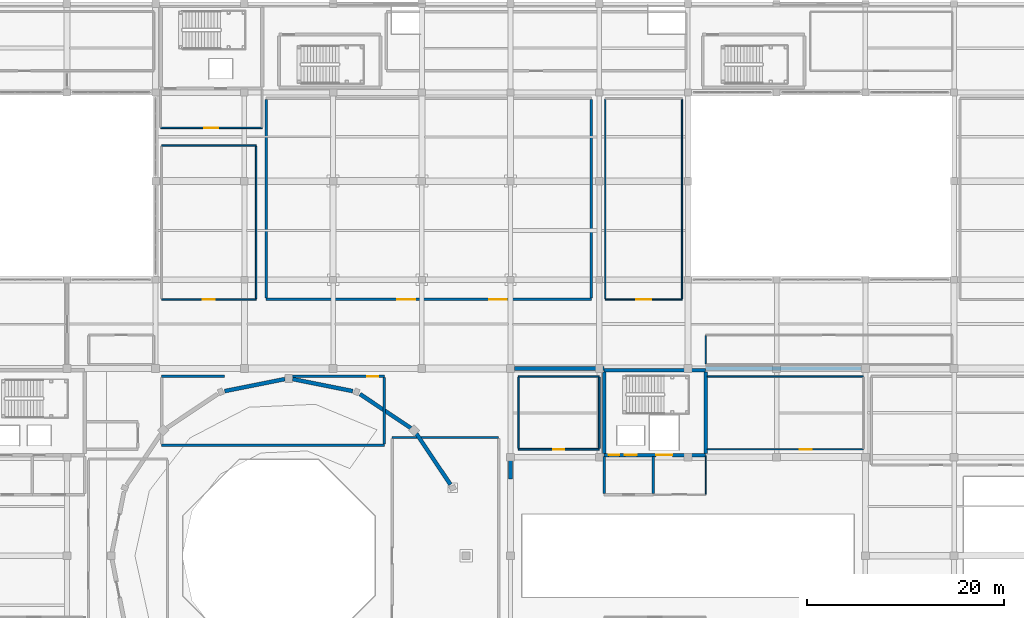
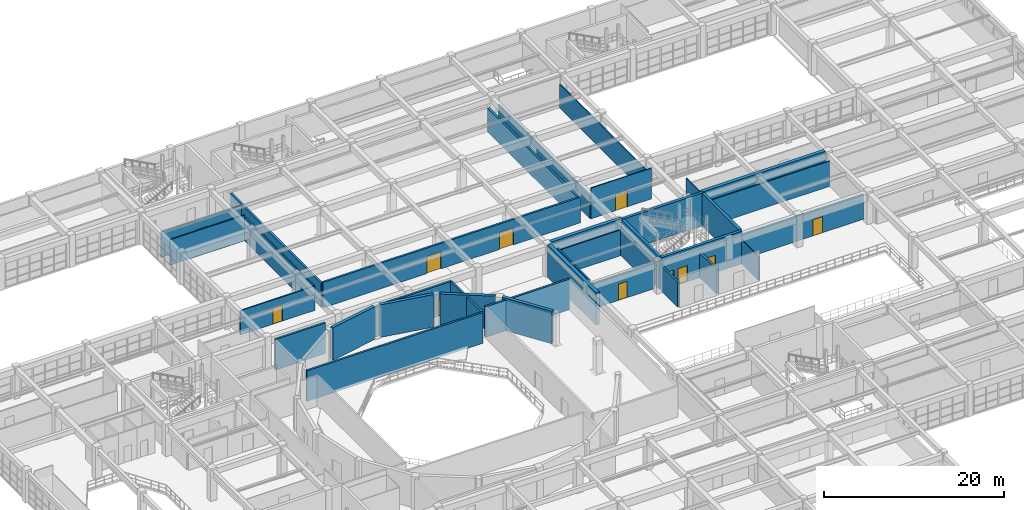
# One storey, part 113 of 133: 36 walls, 11 doors, 11 openings.
"""IFC4 building model written with IfcOpenShell, lengths in metres."""

from ifc_helpers import new_model, si_unit, direction, frame, frame_2d, origin, place, context, subcontext, project, spatial, rectangle, extrude, material, layer, layer_set, type_object, element, fill, save


model = new_model("IFC4")

# Units and contexts
model_context = context("Model", 3, precision=1e-05, world=origin(), true_north=direction((0.0, 1.0)))
body_context = subcontext(model_context, "Body", "Model", "MODEL_VIEW")
ifc_project = project(units=[si_unit("LENGTHUNIT", "METRE"), si_unit("AREAUNIT", "SQUARE_METRE"), si_unit("VOLUMEUNIT", "CUBIC_METRE"), si_unit("PLANEANGLEUNIT", "RADIAN"), si_unit("MASSUNIT", "GRAM", prefix="KILO")], contexts=[model_context])

# Site, building, storey
site_placement = place(None, origin())
site = spatial("IfcSite", under=ifc_project, at=site_placement, CompositionType="ELEMENT")
building_placement = place(site_placement, origin())
building = spatial("IfcBuilding", under=site, at=building_placement, Name="Miravela Opera House", CompositionType="ELEMENT")
storey_placement = place(building_placement, frame((0.0, 0.0, 5.10009765625)))
storey = spatial("IfcBuildingStorey", under=building, at=storey_placement, Name="L01", CompositionType="ELEMENT", Elevation=5.10009765625)

# Wall
ifc_material_1 = material(Name="Double-layer acoustic gypsum partition")
ifc_layer_1 = layer(ifc_material_1, 0.110107421875)
ifc_layer_set_1 = layer_set([ifc_layer_1])
wall_type_1 = type_object("IfcWallType", Name="ARC-PT-110", PredefinedType="PARTITIONING", material=ifc_layer_set_1)
wall_1_placement = place(storey_placement, frame((118.800048828125, 62.2548828125, 0.0), z_axis=(0.0, 0.0, 1.0), x_axis=(0.0, 1.0, 0.0)))
element("IfcWall", 1, at=wall_1_placement, inside=storey, type_object=wall_type_1, Name="Passenger Lift Lobby K3 L01 Partition East", PredefinedType="PARTITIONING", context=body_context, shape_type="SweptSolid", body=[
    extrude(rectangle(XDim=3.89013671875, YDim=0.110107421875, at=frame_2d((1.945068359375, 0.0))), origin(), (0.0, 0.0, 1.0), 3.239990234375),
])

# Wall, opening, door
ifc_material_2 = material(Name="Fire-rated acoustic gypsum partition")
ifc_layer_2 = layer(ifc_material_2, 0.1298828125)
ifc_layer_set_2 = layer_set([ifc_layer_2])
wall_type_2 = type_object("IfcWallType", Name="ARC-PT-130", PredefinedType="PARTITIONING", material=ifc_layer_set_2)
wall_2_placement = place(storey_placement, frame((108.60009765625, 82.0, 0.0), z_axis=(0.0, 0.0, 1.0), x_axis=(1.0, 0.0, 0.0)))
wall_2 = element("IfcWall", 2, at=wall_2_placement, inside=storey, type_object=wall_type_2, Name="Studio Theatre Wing and Sound Control Room Partition South", PredefinedType="PARTITIONING", context=body_context, shape_type="SweptSolid", body=[
    extrude(rectangle(XDim=7.7998046875, YDim=0.1298828125, at=frame_2d((3.89990234375, 0.0))), origin(), (0.0, 0.0, 1.0), 4.159912109375),
])
opening_1_placement = place(wall_2_placement, frame((3.1298828125, 0.0, 0.0)))
opening_1 = element("IfcOpeningElement", 3, at=opening_1_placement, cuts=wall_2, Name="Opening ID-42", PredefinedType="OPENING", context=body_context, shape_type="SweptSolid", body=[
    extrude(rectangle(XDim=1.5400390625, YDim=2.219970703125, at=frame_2d((0.77001953125, 1.10986328125))), frame((0.0, 0.074951171875, 0.0), z_axis=(0.0, -1.0, 0.0), x_axis=(1.0, 0.0, 0.0)), (0.0, 0.0, 1.0), 0.14990234375),
])
ifc_material_3 = material(Name="Hardwood acoustic timber door leaf", Category="wood")
door_type_1 = type_object("IfcDoorType", Name="ARC-IDR-154X222", OperationType="NOTDEFINED", PredefinedType="DOOR", material=ifc_material_3)
door_1_placement = place(opening_1_placement, frame((1.5400390625, 0.0, 0.0), z_axis=(0.0, 0.0, 1.0), x_axis=(-1.0, 0.0, 0.0)))
door_1 = element("IfcDoor", 4, at=door_1_placement, inside=storey, type_object=door_type_1, Name="Studio Theatre Wing and Sound Control Room Entry Door IDR-L01-0169", OperationType="DOUBLE_DOOR_SINGLE_SWING", OverallHeight=2.219970703125, OverallWidth=1.5400390625, PredefinedType="DOOR", context=body_context, shape_type="SweptSolid", body=[
    extrude(rectangle(XDim=1.5400390625, YDim=2.219970703125, at=frame_2d((0.77001953125, 1.10986328125))), frame((0.0, 0.02490234375, 0.0), z_axis=(0.0, -1.0, 0.0), x_axis=(1.0, 0.0, 0.0)), (0.0, 0.0, 1.0), 0.050048828125),
])
fill(opening_1, door_1)

# Walls
for number, where, z_axis, x_axis, name in (
    (5, (108.60009765625, 82.06494140625, 0.0), (0.0, 0.0, 1.0), (0.0, 1.0, 0.0), "Studio Theatre Wing and Sound Control Room Partition West"),
    (6, (116.39990234375, 82.06494140625, 0.0), (0.0, 0.0, 1.0), (0.0, 1.0, 0.0), "Studio Theatre Wing and Sound Control Room Partition East"),
):
    element("IfcWall", number, at=place(storey_placement, frame(where, z_axis=z_axis, x_axis=x_axis)), inside=storey, type_object=wall_type_2, Name=name, PredefinedType="PARTITIONING", context=body_context, shape_type="SweptSolid", body=[
        extrude(rectangle(XDim=20.27001953125, YDim=0.1298828125, at=frame_2d((10.135009765625, 0.0))), origin(), (0.0, 0.0, 1.0), 3.239990234375),
    ])
wall_3_placement = place(storey_placement, frame((118.800048828125, 75.465087890625, 0.0), z_axis=(0.0, 0.0, 1.0), x_axis=(0.0, 1.0, 0.0)))
element("IfcWall", 7, at=wall_3_placement, inside=storey, type_object=wall_type_2, Name="Stage Sound and Video Production Studio Partition West", PredefinedType="PARTITIONING", context=body_context, shape_type="SweptSolid", body=[
    extrude(rectangle(XDim=2.869873046875, YDim=0.1298828125, at=frame_2d((1.43505859375, 0.0))), origin(), (0.0, 0.0, 1.0), 4.159912109375),
])

# Wall, opening, door
wall_4_placement = place(storey_placement, frame((118.97509765625, 66.800048828125, 0.0), z_axis=(0.0, 0.0, 1.0), x_axis=(1.0, 0.0, 0.0)))
wall_4 = element("IfcWall", 8, at=wall_4_placement, inside=storey, type_object=wall_type_2, Name="Stage Prompt and Audio Mixing Studio Partition South", PredefinedType="PARTITIONING", context=body_context, shape_type="SweptSolid", body=[
    extrude(rectangle(XDim=15.824951171875, YDim=0.1298828125, at=frame_2d((7.91259765625, 0.0))), origin(), (0.0, 0.0, 1.0), 3.43994140625),
])
opening_2_placement = place(wall_4_placement, frame((9.38037109375, 0.0, 0.0)))
opening_2 = element("IfcOpeningElement", 9, at=opening_2_placement, cuts=wall_4, Name="Opening FD-02", PredefinedType="OPENING", context=body_context, shape_type="SweptSolid", body=[
    extrude(rectangle(XDim=1.199951171875, YDim=2.199951171875, at=frame_2d((0.60009765625, 1.10009765625))), frame((0.0, 0.074951171875, 0.0), z_axis=(0.0, -1.0, 0.0), x_axis=(1.0, 0.0, 0.0)), (0.0, 0.0, 1.0), 0.14990234375),
])
ifc_material_4 = material(Name="Fire-rated gallery/plant exit door")
door_type_2 = type_object("IfcDoorType", Name="ARC-FD-1200X2200", OperationType="NOTDEFINED", PredefinedType="DOOR", material=ifc_material_4)
door_2_placement = place(opening_2_placement, origin())
door_2 = element("IfcDoor", 10, at=door_2_placement, inside=storey, type_object=door_type_2, Name="Stage Prompt and Audio Mixing Studio Entry Door IDR-L01-0204", OperationType="SINGLE_SWING_RIGHT", OverallHeight=2.199951171875, OverallWidth=1.199951171875, PredefinedType="DOOR", context=body_context, shape_type="SweptSolid", body=[
    extrude(rectangle(XDim=1.199951171875, YDim=2.199951171875, at=frame_2d((0.60009765625, 1.10009765625))), frame((0.0, 0.02490234375, 0.0), z_axis=(0.0, -1.0, 0.0), x_axis=(1.0, 0.0, 0.0)), (0.0, 0.0, 1.0), 0.050048828125),
])
fill(opening_2, door_2)

# Wall
wall_5_placement = place(storey_placement, frame((118.97509765625, 74.199951171875, 0.0), z_axis=(0.0, 0.0, 1.0), x_axis=(1.0, 0.0, 0.0)))
element("IfcWall", 11, at=wall_5_placement, inside=storey, type_object=wall_type_2, Name="Stage Prompt and Audio Mixing Studio Partition North", PredefinedType="PARTITIONING", context=body_context, shape_type="SweptSolid", body=[
    extrude(rectangle(XDim=15.824951171875, YDim=0.1298828125, at=frame_2d((7.91259765625, 0.0))), origin(), (0.0, 0.0, 1.0), 3.43994140625),
])

# Wall, opening, door
ifc_material_5 = material(Name="Studio double-stud acoustic partition")
ifc_layer_3 = layer(ifc_material_5, 0.14990234375)
ifc_layer_set_3 = layer_set([ifc_layer_3])
wall_type_3 = type_object("IfcWallType", Name="ARC-PT-145", PredefinedType="PARTITIONING", material=ifc_layer_set_3)
wall_6_placement = place(storey_placement, frame((63.5, 99.39990234375, 0.0), z_axis=(0.0, 0.0, 1.0), x_axis=(1.0, 0.0, 0.0)))
wall_6 = element("IfcWall", 12, at=wall_6_placement, inside=storey, type_object=wall_type_3, Name="Passenger Lift Lobby K5 L01 Partition South", PredefinedType="PARTITIONING", context=body_context, shape_type="SweptSolid", body=[
    extrude(rectangle(XDim=10.300048828125, YDim=0.14990234375, at=frame_2d((5.14990234375, 0.0))), origin(), (0.0, 0.0, 1.0), 3.4599609375),
])
opening_3_placement = place(wall_6_placement, frame((4.449951171875, 0.0, 0.0)))
opening_3 = element("IfcOpeningElement", 13, at=opening_3_placement, cuts=wall_6, Name="Opening FD-03", PredefinedType="OPENING", context=body_context, shape_type="SweptSolid", body=[
    extrude(rectangle(XDim=1.39990234375, YDim=2.199951171875, at=frame_2d((0.699951171875, 1.10009765625))), frame((0.0, 0.0849609375, 0.0), z_axis=(0.0, -1.0, 0.0), x_axis=(1.0, 0.0, 0.0)), (0.0, 0.0, 1.0), 0.169921875),
])
ifc_material_6 = material(Name="Fire-rated lobby/archive double door")
door_type_3 = type_object("IfcDoorType", Name="ARC-FD-1400X2200", OperationType="NOTDEFINED", PredefinedType="DOOR", material=ifc_material_6)
door_3_placement = place(opening_3_placement, frame((1.39990234375, 0.0, 0.0), z_axis=(0.0, 0.0, 1.0), x_axis=(-1.0, 0.0, 0.0)))
door_3 = element("IfcDoor", 14, at=door_3_placement, inside=storey, type_object=door_type_3, Name="Passenger Lift Lobby K5 L01 Entry Door IDR-L01-0157", OperationType="DOUBLE_DOOR_SINGLE_SWING", OverallHeight=2.199951171875, OverallWidth=1.39990234375, PredefinedType="DOOR", context=body_context, shape_type="SweptSolid", body=[
    extrude(rectangle(XDim=1.39990234375, YDim=2.199951171875, at=frame_2d((0.699951171875, 1.10009765625))), frame((0.0, 0.02490234375, 0.0), z_axis=(0.0, -1.0, 0.0), x_axis=(1.0, 0.0, 0.0)), (0.0, 0.0, 1.0), 0.050048828125),
])
fill(opening_3, door_3)

wall_7_placement = place(storey_placement, frame((63.60009765625, 82.0, 0.0), z_axis=(0.0, 0.0, 1.0), x_axis=(1.0, 0.0, 0.0)))
wall_7 = element("IfcWall", 15, at=wall_7_placement, inside=storey, type_object=wall_type_3, Name="Chamber Strings Practice Studio Partition South", PredefinedType="PARTITIONING", context=body_context, shape_type="SweptSolid", body=[
    extrude(rectangle(XDim=9.599853515625, YDim=0.14990234375, at=frame_2d((4.7998046875, 0.0))), origin(), (0.0, 0.0, 1.0), 3.289794921875),
])
opening_4_placement = place(wall_7_placement, frame((4.199951171875, 0.0, 0.0)))
opening_4 = element("IfcOpeningElement", 16, at=opening_4_placement, cuts=wall_7, Name="Opening ID-04", PredefinedType="OPENING", context=body_context, shape_type="SweptSolid", body=[
    extrude(rectangle(XDim=1.199951171875, YDim=2.199951171875, at=frame_2d((0.60009765625, 1.10009765625))), frame((0.0, 0.0849609375, 0.0), z_axis=(0.0, -1.0, 0.0), x_axis=(1.0, 0.0, 0.0)), (0.0, 0.0, 1.0), 0.169921875),
])
ifc_material_7 = material(Name="Wide acoustic ensemble door")
door_type_4 = type_object("IfcDoorType", Name="ARC-DR-1200X2200", OperationType="NOTDEFINED", PredefinedType="DOOR", material=ifc_material_7)
door_4_placement = place(opening_4_placement, frame((1.199951171875, 0.0, 0.0), z_axis=(0.0, 0.0, 1.0), x_axis=(-1.0, 0.0, 0.0)))
door_4 = element("IfcDoor", 17, at=door_4_placement, inside=storey, type_object=door_type_4, Name="Chamber Strings Practice Studio Entry Door IDR-L01-0205", OperationType="SINGLE_SWING_LEFT", OverallHeight=2.199951171875, OverallWidth=1.199951171875, PredefinedType="DOOR", context=body_context, shape_type="SweptSolid", body=[
    extrude(rectangle(XDim=1.199951171875, YDim=2.199951171875, at=frame_2d((0.60009765625, 1.10009765625))), frame((0.0, 0.02490234375, 0.0), z_axis=(0.0, -1.0, 0.0), x_axis=(1.0, 0.0, 0.0)), (0.0, 0.0, 1.0), 0.050048828125),
])
fill(opening_4, door_4)

# Walls
wall_8_placement = place(storey_placement, frame((63.60009765625, 97.60009765625, 0.0), z_axis=(0.0, 0.0, 1.0), x_axis=(1.0, 0.0, 0.0)))
element("IfcWall", 18, at=wall_8_placement, inside=storey, type_object=wall_type_3, Name="Chamber Strings Practice Studio Partition North", PredefinedType="PARTITIONING", context=body_context, shape_type="SweptSolid", body=[
    extrude(rectangle(XDim=9.599853515625, YDim=0.14990234375, at=frame_2d((4.7998046875, 0.0))), origin(), (0.0, 0.0, 1.0), 3.4599609375),
])
wall_9_placement = place(storey_placement, frame((73.199951171875, 82.074951171875, 0.0), z_axis=(0.0, 0.0, 1.0), x_axis=(0.0, 1.0, 0.0)))
element("IfcWall", 19, at=wall_9_placement, inside=storey, type_object=wall_type_3, Name="Chamber Strings Practice Studio Partition East", PredefinedType="PARTITIONING", context=body_context, shape_type="SweptSolid", body=[
    extrude(rectangle(XDim=15.449951171875, YDim=0.14990234375, at=frame_2d((7.72509765625, 0.0))), origin(), (0.0, 0.0, 1.0), 3.239990234375),
])

# Wall, opening, door
ifc_material_8 = material(Name="Rehearsal isolated acoustic partition")
ifc_layer_4 = layer(ifc_material_8, 0.169921875)
ifc_layer_set_4 = layer_set([ifc_layer_4])
wall_type_4 = type_object("IfcWallType", Name="ARC-PT-170", PredefinedType="PARTITIONING", material=ifc_layer_set_4)
wall_10_placement = place(storey_placement, frame((99.800048828125, 66.800048828125, 0.0), z_axis=(0.0, 0.0, 1.0), x_axis=(1.0, 0.0, 0.0)))
wall_10 = element("IfcWall", 20, at=wall_10_placement, inside=storey, type_object=wall_type_4, Name="Stage Scenic Projection Studio Partition South", PredefinedType="PARTITIONING", context=body_context, shape_type="SweptSolid", body=[
    extrude(rectangle(XDim=8.199951171875, YDim=0.169921875, at=frame_2d((4.10009765625, 0.0))), origin(), (0.0, 0.0, 1.0), 3.489990234375),
])
opening_5_placement = place(wall_10_placement, frame((3.550048828125, 0.0, 0.0)))
opening_5 = element("IfcOpeningElement", 21, at=opening_5_placement, cuts=wall_10, Name="Opening ID-03", PredefinedType="OPENING", context=body_context, shape_type="SweptSolid", body=[
    extrude(rectangle(XDim=1.10009765625, YDim=2.199951171875, at=frame_2d((0.550048828125, 1.10009765625))), frame((0.0, 0.094970703125, 0.0), z_axis=(0.0, -1.0, 0.0), x_axis=(1.0, 0.0, 0.0)), (0.0, 0.0, 1.0), 0.18994140625),
])
ifc_material_9 = material(Name="Acoustic hardwood studio door", Category="wood")
door_type_5 = type_object("IfcDoorType", Name="ARC-DR-1100X2200", OperationType="NOTDEFINED", PredefinedType="DOOR", material=ifc_material_9)
door_5_placement = place(opening_5_placement, origin())
door_5 = element("IfcDoor", 22, at=door_5_placement, inside=storey, type_object=door_type_5, Name="Stage Scenic Projection Studio Entry Door IDR-L01-0206", OperationType="SINGLE_SWING_RIGHT", OverallHeight=2.199951171875, OverallWidth=1.10009765625, PredefinedType="DOOR", context=body_context, shape_type="SweptSolid", body=[
    extrude(rectangle(XDim=1.10009765625, YDim=2.199951171875, at=frame_2d((0.550048828125, 1.10009765625))), frame((0.0, 0.02490234375, 0.0), z_axis=(0.0, -1.0, 0.0), x_axis=(1.0, 0.0, 0.0)), (0.0, 0.0, 1.0), 0.050048828125),
])
fill(opening_5, door_5)

# Walls
wall_11_placement = place(storey_placement, frame((99.800048828125, 74.199951171875, 0.0), z_axis=(0.0, 0.0, 1.0), x_axis=(1.0, 0.0, 0.0)))
element("IfcWall", 23, at=wall_11_placement, inside=storey, type_object=wall_type_4, Name="Stage Scenic Projection Studio Partition North", PredefinedType="PARTITIONING", context=body_context, shape_type="SweptSolid", body=[
    extrude(rectangle(XDim=8.199951171875, YDim=0.169921875, at=frame_2d((4.10009765625, 0.0))), origin(), (0.0, 0.0, 1.0), 3.489990234375),
])
wall_12_placement = place(storey_placement, frame((99.800048828125, 66.885009765625, 0.0), z_axis=(0.0, 0.0, 1.0), x_axis=(0.0, 1.0, 0.0)))
element("IfcWall", 24, at=wall_12_placement, inside=storey, type_object=wall_type_4, Name="Stage Scenic Projection Studio Partition West", PredefinedType="PARTITIONING", context=body_context, shape_type="SweptSolid", body=[
    extrude(rectangle(XDim=7.22998046875, YDim=0.169921875, at=frame_2d((3.614990234375, 0.0))), origin(), (0.0, 0.0, 1.0), 3.892822265625),
])
wall_13_placement = place(storey_placement, frame((108.0, 66.885009765625, 0.0), z_axis=(0.0, 0.0, 1.0), x_axis=(0.0, 1.0, 0.0)))
element("IfcWall", 25, at=wall_13_placement, inside=storey, type_object=wall_type_4, Name="Stage Scenic Projection Studio Partition East", PredefinedType="PARTITIONING", context=body_context, shape_type="SweptSolid", body=[
    extrude(rectangle(XDim=7.22998046875, YDim=0.169921875, at=frame_2d((3.614990234375, 0.0))), origin(), (0.0, 0.0, 1.0), 3.489990234375),
])
ifc_material_10 = material(Name="Firefighting lobby compartment wall")
ifc_layer_5 = layer(ifc_material_10, 0.25)
ifc_layer_set_5 = layer_set([ifc_layer_5])
wall_type_5 = type_object("IfcWallType", Name="ARC-PT-220", PredefinedType="PARTITIONING", material=ifc_layer_set_5)
for number, where, z_axis, x_axis, name in (
    (26, (108.5, 62.324951171875, 0.0), (0.0, 0.0, 1.0), (0.0, 1.0, 0.0), "Firefighting Lobby K3 L01 Partition West"),
    (27, (113.5, 62.324951171875, 0.0), (0.0, 0.0, 1.0), (0.0, 1.0, 0.0), "Firefighting Lobby K3 L01 Partition East"),
):
    element("IfcWall", number, at=place(storey_placement, frame(where, z_axis=z_axis, x_axis=x_axis)), inside=storey, type_object=wall_type_5, Name=name, PredefinedType="PARTITIONING", context=body_context, shape_type="SweptSolid", body=[
        extrude(rectangle(XDim=3.75, YDim=0.25, at=frame_2d((1.875, 0.0))), origin(), (0.0, 0.0, 1.0), 3.389892578125),
    ])
wall_14_placement = place(storey_placement, frame((87.0, 68.0, 0.0), z_axis=(0.0, 0.0, 1.0), x_axis=(1.0, 0.0, 0.0)))
element("IfcWall", 28, at=wall_14_placement, inside=storey, type_object=wall_type_5, Name="Opera Auditorium Box Tier Partition North", PredefinedType="PARTITIONING", context=body_context, shape_type="SweptSolid", body=[
    extrude(rectangle(XDim=10.800048828125, YDim=0.25, at=frame_2d((5.39990234375, 0.0))), origin(), (0.0, 0.0, 1.0), 4.159912109375),
])

# Wall, openings, doors
wall_15_placement = place(storey_placement, frame((74.199951171875, 82.0, 0.0), z_axis=(0.0, 0.0, 1.0), x_axis=(1.0, 0.0, 0.0)))
wall_15 = element("IfcWall", 29, at=wall_15_placement, inside=storey, type_object=wall_type_5, Name="Chamber Studio Theatre Stalls Partition South", PredefinedType="PARTITIONING", context=body_context, shape_type="SweptSolid", body=[
    extrude(rectangle(XDim=33.0, YDim=0.25, at=frame_2d((16.5, 0.0))), origin(), (0.0, 0.0, 1.0), 3.4599609375),
])
opening_6_placement = place(wall_15_placement, frame((13.322998046875, 0.0, 0.0)))
opening_6 = element("IfcOpeningElement", 30, at=opening_6_placement, cuts=wall_15, Name="Opening FD-05", PredefinedType="OPENING", context=body_context, shape_type="SweptSolid", body=[
    extrude(rectangle(XDim=1.800048828125, YDim=2.300048828125, at=frame_2d((0.89990234375, 1.14990234375))), frame((0.0, 0.135009765625, 0.0), z_axis=(0.0, -1.0, 0.0), x_axis=(1.0, 0.0, 0.0)), (0.0, 0.0, 1.0), 0.27001953125),
])
opening_7_placement = place(wall_15_placement, frame((22.6201171875, 0.0, 0.0)))
opening_7 = element("IfcOpeningElement", 31, at=opening_7_placement, cuts=wall_15, Name="Opening FD-05", PredefinedType="OPENING", context=body_context, shape_type="SweptSolid", body=[
    extrude(rectangle(XDim=1.800048828125, YDim=2.300048828125, at=frame_2d((0.89990234375, 1.14990234375))), frame((0.0, 0.135009765625, 0.0), z_axis=(0.0, -1.0, 0.0), x_axis=(1.0, 0.0, 0.0)), (0.0, 0.0, 1.0), 0.27001953125),
])
ifc_material_11 = material(Name="Heavy acoustic EI 120 stage/auditorium pair")
door_type_6 = type_object("IfcDoorType", Name="ARC-FD-1800X2300", OperationType="NOTDEFINED", PredefinedType="DOOR", material=ifc_material_11)
door_6_placement = place(opening_6_placement, frame((1.800048828125, 0.0, 0.0), z_axis=(0.0, 0.0, 1.0), x_axis=(-1.0, 0.0, 0.0)))
door_6 = element("IfcDoor", 32, at=door_6_placement, inside=storey, type_object=door_type_6, Name="Chamber Studio Theatre Stalls Entry Door IDR-L01-0167", OperationType="DOUBLE_DOOR_SINGLE_SWING", OverallHeight=2.300048828125, OverallWidth=1.800048828125, PredefinedType="DOOR", context=body_context, shape_type="SweptSolid", body=[
    extrude(rectangle(XDim=1.800048828125, YDim=2.300048828125, at=frame_2d((0.89990234375, 1.14990234375))), frame((0.0, 0.02490234375, 0.0), z_axis=(0.0, -1.0, 0.0), x_axis=(1.0, 0.0, 0.0)), (0.0, 0.0, 1.0), 0.050048828125),
])
fill(opening_6, door_6)
door_7_placement = place(opening_7_placement, frame((1.800048828125, 0.0, 0.0), z_axis=(0.0, 0.0, 1.0), x_axis=(-1.0, 0.0, 0.0)))
door_7 = element("IfcDoor", 33, at=door_7_placement, inside=storey, type_object=door_type_6, Name="Chamber Studio Theatre Stalls Secondary Exit Door IDR-L01-0168", OperationType="DOUBLE_DOOR_SINGLE_SWING", OverallHeight=2.300048828125, OverallWidth=1.800048828125, PredefinedType="DOOR", context=body_context, shape_type="SweptSolid", body=[
    extrude(rectangle(XDim=1.800048828125, YDim=2.300048828125, at=frame_2d((0.89990234375, 1.14990234375))), frame((0.0, 0.02490234375, 0.0), z_axis=(0.0, -1.0, 0.0), x_axis=(1.0, 0.0, 0.0)), (0.0, 0.0, 1.0), 0.050048828125),
])
fill(opening_7, door_7)

# Walls
for number, where, z_axis, x_axis, name in (
    (34, (74.199951171875, 82.125, 0.0), (0.0, 0.0, 1.0), (0.0, 1.0, 0.0), "Chamber Studio Theatre Stalls Partition West"),
    (35, (107.199951171875, 82.125, 0.0), (0.0, 0.0, 1.0), (0.0, 1.0, 0.0), "Chamber Studio Theatre Stalls Partition East"),
):
    element("IfcWall", number, at=place(storey_placement, frame(where, z_axis=z_axis, x_axis=x_axis)), inside=storey, type_object=wall_type_5, Name=name, PredefinedType="PARTITIONING", context=body_context, shape_type="SweptSolid", body=[
        extrude(rectangle(XDim=20.14990234375, YDim=0.25, at=frame_2d((10.074951171875, 0.0))), origin(), (0.0, 0.0, 1.0), 3.239990234375),
    ])
wall_16_placement = place(storey_placement, frame((63.60009765625, 67.199951171875, 0.0), z_axis=(0.0, 0.0, 1.0), x_axis=(1.0, 0.0, 0.0)))
element("IfcWall", 36, at=wall_16_placement, inside=storey, type_object=wall_type_5, Name="Baritone and Mezzo Soloist Dressing Suites Partition South", PredefinedType="PARTITIONING", context=body_context, shape_type="SweptSolid", body=[
    extrude(rectangle(XDim=22.599853515625, YDim=0.25, at=frame_2d((11.2998046875, 0.0))), origin(), (0.0, 0.0, 1.0), 4.159912109375),
])
wall_17_placement = place(storey_placement, frame((63.60009765625, 74.199951171875, 0.0), z_axis=(0.0, 0.0, 1.0), x_axis=(1.0, 0.0, 0.0)))
element("IfcWall", 37, at=wall_17_placement, inside=storey, type_object=wall_type_5, Name="Baritone and Mezzo Soloist Dressing Suites Partition North 1", PredefinedType="PARTITIONING", context=body_context, shape_type="SweptSolid", body=[
    extrude(rectangle(XDim=6.40380859375, YDim=0.25, at=frame_2d((3.201904296875, 0.0))), origin(), (0.0, 0.0, 1.0), 4.159912109375),
])

# Wall, opening, door
wall_18_placement = place(storey_placement, frame((76.107666015625, 74.199951171875, 0.0), z_axis=(0.0, 0.0, 1.0), x_axis=(1.0, 0.0, 0.0)))
wall_18 = element("IfcWall", 38, at=wall_18_placement, inside=storey, type_object=wall_type_5, Name="Baritone and Mezzo Soloist Dressing Suites Partition North 2", PredefinedType="PARTITIONING", context=body_context, shape_type="SweptSolid", body=[
    extrude(rectangle(XDim=10.09228515625, YDim=0.25, at=frame_2d((5.046142578125, 0.0))), origin(), (0.0, 0.0, 1.0), 4.159912109375),
])
opening_8_placement = place(wall_18_placement, frame((8.368408203125, 0.0, 0.0)))
opening_8 = element("IfcOpeningElement", 39, at=opening_8_placement, cuts=wall_18, Name="Opening ID-03", PredefinedType="OPENING", context=body_context, shape_type="SweptSolid", body=[
    extrude(rectangle(XDim=1.10009765625, YDim=2.199951171875, at=frame_2d((0.550048828125, 1.10009765625))), frame((0.0, 0.135009765625, 0.0), z_axis=(0.0, -1.0, 0.0), x_axis=(1.0, 0.0, 0.0)), (0.0, 0.0, 1.0), 0.27001953125),
])
door_8_placement = place(opening_8_placement, origin())
door_8 = element("IfcDoor", 40, at=door_8_placement, inside=storey, type_object=door_type_5, Name="Baritone and Mezzo Soloist Dressing Suites Entry Door IDR-L01-0201", OperationType="SINGLE_SWING_LEFT", OverallHeight=2.199951171875, OverallWidth=1.10009765625, PredefinedType="DOOR", context=body_context, shape_type="SweptSolid", body=[
    extrude(rectangle(XDim=1.10009765625, YDim=2.199951171875, at=frame_2d((0.550048828125, 1.10009765625))), frame((0.0, 0.02490234375, 0.0), z_axis=(0.0, -1.0, 0.0), x_axis=(1.0, 0.0, 0.0)), (0.0, 0.0, 1.0), 0.050048828125),
])
fill(opening_8, door_8)

# Wall
wall_19_placement = place(storey_placement, frame((86.199951171875, 67.324951171875, 0.0), z_axis=(0.0, 0.0, 1.0), x_axis=(0.0, 1.0, 0.0)))
element("IfcWall", 41, at=wall_19_placement, inside=storey, type_object=wall_type_5, Name="Baritone and Mezzo Soloist Dressing Suites Partition East", PredefinedType="PARTITIONING", context=body_context, shape_type="SweptSolid", body=[
    extrude(rectangle(XDim=6.75, YDim=0.25, at=frame_2d((3.375, 0.0))), origin(), (0.0, 0.0, 1.0), 4.159912109375),
])

# Wall, openings, doors
ifc_material_12 = material(Name="Concrete C40/50", Category="concrete")
ifc_layer_6 = layer(ifc_material_12, 0.35009765625)
ifc_layer_set_6 = layer_set([ifc_layer_6])
wall_type_6 = type_object("IfcWallType", Name="STR-WALL-CORE-350", PredefinedType="SHEAR", material=ifc_layer_set_6)
wall_20_placement = place(storey_placement, frame((108.5, 66.199951171875, 0.0), z_axis=(0.0, 0.0, 1.0), x_axis=(1.0, 0.0, 0.0)))
wall_20 = element("IfcWall", 42, at=wall_20_placement, inside=storey, type_object=wall_type_6, Name="Core K3 Shear Wall South (L01)", PredefinedType="SHEAR", context=body_context, shape_type="SweptSolid", body=[
    extrude(rectangle(XDim=10.300048828125, YDim=0.35009765625, at=frame_2d((5.14990234375, 0.0))), origin(), (0.0, 0.0, 1.0), 4.419921875),
])
opening_9_placement = place(wall_20_placement, frame((0.449951171875, 0.0, 0.0)))
opening_9 = element("IfcOpeningElement", 43, at=opening_9_placement, cuts=wall_20, Name="Opening FD-01", PredefinedType="OPENING", context=body_context, shape_type="SweptSolid", body=[
    extrude(rectangle(XDim=1.10009765625, YDim=2.199951171875, at=frame_2d((0.550048828125, 1.10009765625))), frame((0.0, 0.18505859375, 0.0), z_axis=(0.0, -1.0, 0.0), x_axis=(1.0, 0.0, 0.0)), (0.0, 0.0, 1.0), 0.3701171875),
])
opening_10_placement = place(wall_20_placement, frame((2.090087890625, 0.0, 0.0)))
opening_10 = element("IfcOpeningElement", 44, at=opening_10_placement, cuts=wall_20, Name="Opening LD-01", PredefinedType="OPENING", context=body_context, shape_type="SweptSolid", body=[
    extrude(rectangle(XDim=1.219970703125, YDim=2.199951171875, at=frame_2d((0.60986328125, 1.10009765625))), frame((0.0, 0.18505859375, 0.0), z_axis=(0.0, -1.0, 0.0), x_axis=(1.0, 0.0, 0.0)), (0.0, 0.0, 1.0), 0.3701171875),
])
opening_11_placement = place(wall_20_placement, frame((5.27490234375, 0.0, 0.0)))
opening_11 = element("IfcOpeningElement", 45, at=opening_11_placement, cuts=wall_20, Name="Opening LD-03", PredefinedType="OPENING", context=body_context, shape_type="SweptSolid", body=[
    extrude(rectangle(XDim=1.64990234375, YDim=2.340087890625, at=frame_2d((0.824951171875, 1.169921875))), frame((0.0, 0.18505859375, 0.0), z_axis=(0.0, -1.0, 0.0), x_axis=(1.0, 0.0, 0.0)), (0.0, 0.0, 1.0), 0.3701171875),
])
ifc_material_13 = material(Name="Fire-rated steel/hardwood exit stair door", Category="steel")
door_type_7 = type_object("IfcDoorType", Name="ARC-FD-1100X2200", OperationType="NOTDEFINED", PredefinedType="DOOR", material=ifc_material_13)
door_9_placement = place(opening_9_placement, origin())
door_9 = element("IfcDoor", 46, at=door_9_placement, inside=storey, type_object=door_type_7, Name="Exit Stair ST-03 Rated Door (L01) IDR-L01-0018", OperationType="SINGLE_SWING_RIGHT", OverallHeight=2.199951171875, OverallWidth=1.10009765625, PredefinedType="DOOR", context=body_context, shape_type="SweptSolid", body=[
    extrude(rectangle(XDim=1.10009765625, YDim=2.199951171875, at=frame_2d((0.550048828125, 1.10009765625))), frame((0.0, 0.02490234375, 0.0), z_axis=(0.0, -1.0, 0.0), x_axis=(1.0, 0.0, 0.0)), (0.0, 0.0, 1.0), 0.050048828125),
])
fill(opening_9, door_9)
ifc_material_14 = material(Name="Brushed stainless and bronze fire-rated lift landing door")
door_type_8 = type_object("IfcDoorType", Name="ARC-LD-FFL-1200X2200", OperationType="SLIDING_TO_LEFT", PredefinedType="DOOR", material=ifc_material_14)
door_10_placement = place(opening_10_placement, origin())
door_10 = element("IfcDoor", 47, at=door_10_placement, inside=storey, type_object=door_type_8, Name="Lift Landing Door FFL-02 (L01)", OperationType="SLIDING_TO_LEFT", OverallHeight=2.199951171875, OverallWidth=1.219970703125, PredefinedType="DOOR", context=body_context, shape_type="SweptSolid", body=[
    extrude(rectangle(XDim=1.219970703125, YDim=2.199951171875, at=frame_2d((0.60986328125, 1.10009765625))), frame((0.0, 0.02490234375, 0.0), z_axis=(0.0, -1.0, 0.0), x_axis=(1.0, 0.0, 0.0)), (0.0, 0.0, 1.0), 0.050048828125),
])
fill(opening_10, door_10)
door_type_9 = type_object("IfcDoorType", Name="ARC-LD-FRT-1650X2350", OperationType="SLIDING_TO_LEFT", PredefinedType="DOOR", material=ifc_material_14)
door_11_placement = place(opening_11_placement, origin())
door_11 = element("IfcDoor", 48, at=door_11_placement, inside=storey, type_object=door_type_9, Name="Lift Landing Door FL-01 (L01)", OperationType="SLIDING_TO_LEFT", OverallHeight=2.340087890625, OverallWidth=1.64990234375, PredefinedType="DOOR", context=body_context, shape_type="SweptSolid", body=[
    extrude(rectangle(XDim=1.64990234375, YDim=2.340087890625, at=frame_2d((0.824951171875, 1.169921875))), frame((0.0, 0.02490234375, 0.0), z_axis=(0.0, -1.0, 0.0), x_axis=(1.0, 0.0, 0.0)), (0.0, 0.0, 1.0), 0.050048828125),
])
fill(opening_11, door_11)

# Walls
wall_21_placement = place(storey_placement, frame((108.5, 74.800048828125, 0.0), z_axis=(0.0, 0.0, 1.0), x_axis=(1.0, 0.0, 0.0)))
element("IfcWall", 49, at=wall_21_placement, inside=storey, type_object=wall_type_6, Name="Core K3 Shear Wall North (L01)", PredefinedType="SHEAR", context=body_context, shape_type="SweptSolid", body=[
    extrude(rectangle(XDim=10.300048828125, YDim=0.35009765625, at=frame_2d((5.14990234375, 0.0))), origin(), (0.0, 0.0, 1.0), 4.419921875),
])
for number, where, z_axis, x_axis, name in (
    (50, (108.5, 66.375, 0.0), (0.0, 0.0, 1.0), (0.0, 1.0, 0.0), "Core K3 Shear Wall West (L01)"),
    (51, (118.800048828125, 66.375, 0.0), (0.0, 0.0, 1.0), (0.0, 1.0, 0.0), "Core K3 Shear Wall East (L01)"),
):
    element("IfcWall", number, at=place(storey_placement, frame(where, z_axis=z_axis, x_axis=x_axis)), inside=storey, type_object=wall_type_6, Name=name, PredefinedType="SHEAR", context=body_context, shape_type="SweptSolid", body=[
        extrude(rectangle(XDim=8.25, YDim=0.35009765625, at=frame_2d((4.125, 0.0))), origin(), (0.0, 0.0, 1.0), 4.419921875),
    ])
ifc_layer_7 = layer(ifc_material_12, 0.39990234375)
ifc_layer_set_7 = layer_set([ifc_layer_7])
wall_type_7 = type_object("IfcWallType", Name="STR-WALL-DRUM-400", PredefinedType="SHEAR", material=ifc_layer_set_7)
for number, where, z_axis, x_axis, name in (
    (52, (92.90771484375, 63.220947265625, 0.0), (0.0, 0.0, 1.0), (-0.555587101324, 0.831458341015, 0.0), "Auditorium Drum Shear Wall L01 Seg 2"),
    (53, (88.895263671875, 68.9501953125, 0.0), (0.0, 0.0, 1.0), (-0.831458341015, 0.555587101324, 0.0), "Auditorium Drum Shear Wall L01 Seg 3"),
):
    element("IfcWall", number, at=place(storey_placement, frame(where, z_axis=z_axis, x_axis=x_axis)), inside=storey, type_object=wall_type_7, Name=name, PredefinedType="SHEAR", context=body_context, shape_type="SweptSolid", body=[
        extrude(rectangle(XDim=6.22314453125, YDim=0.39990234375, at=frame_2d((3.111572265625, 0.0))), origin(), (0.0, 0.0, 1.0), 4.419921875),
    ])
for number, where, z_axis, x_axis, name in (
    (54, (82.99609375, 72.707763671875, 0.0), (0.0, 0.0, 1.0), (-0.980777834218, 0.195127752786, 0.0), "Auditorium Drum Shear Wall L01 Seg 4"),
    (55, (76.107666015625, 73.922119140625, 0.0), (0.0, 0.0, 1.0), (-0.980777834218, -0.195127752786, 0.0), "Auditorium Drum Shear Wall L01 Seg 5"),
):
    element("IfcWall", number, at=place(storey_placement, frame(where, z_axis=z_axis, x_axis=x_axis)), inside=storey, type_object=wall_type_7, Name=name, PredefinedType="SHEAR", context=body_context, shape_type="SweptSolid", body=[
        extrude(rectangle(XDim=6.223388671875, YDim=0.39990234375, at=frame_2d((3.11181640625, 0.0))), origin(), (0.0, 0.0, 1.0), 4.419921875),
    ])
ifc_layer_8 = layer(ifc_material_12, 0.449951171875)
ifc_layer_set_8 = layer_set([ifc_layer_8])
wall_type_8 = type_object("IfcWallType", Name="STR-WALL-PROSC-450", PredefinedType="SHEAR", material=ifc_layer_set_8)
wall_22_placement = place(storey_placement, frame((99.0, 63.800048828125, 0.0), z_axis=(0.0, 0.0, 1.0), x_axis=(0.0, 1.0, 0.0)))
element("IfcWall", 56, at=wall_22_placement, inside=storey, type_object=wall_type_8, Name="Proscenium Shear Wall North (L01)", PredefinedType="SHEAR", context=body_context, shape_type="SweptSolid", body=[
    extrude(rectangle(XDim=10.75, YDim=0.449951171875, at=frame_2d((5.375, 0.0))), origin(), (0.0, 0.0, 1.0), 4.419921875),
])
wall_23_placement = place(storey_placement, frame((99.425048828125, 75.0, 0.0), z_axis=(0.0, 0.0, 1.0), x_axis=(1.0, 0.0, 0.0)))
element("IfcWall", 57, at=wall_23_placement, inside=storey, type_object=wall_type_8, Name="Stage House North Shear Wall W (L01)", PredefinedType="SHEAR", context=body_context, shape_type="SweptSolid", body=[
    extrude(rectangle(XDim=9.074951171875, YDim=0.449951171875, at=frame_2d((4.53759765625, 0.0))), origin(), (0.0, 0.0, 1.0), 4.419921875),
])
wall_24_placement = place(storey_placement, frame((118.800048828125, 75.0, 0.0), z_axis=(0.0, 0.0, 1.0), x_axis=(1.0, 0.0, 0.0)))
element("IfcWall", 58, at=wall_24_placement, inside=storey, type_object=wall_type_8, Name="Stage House North Shear Wall E (L01)", PredefinedType="SHEAR", context=body_context, shape_type="SweptSolid", body=[
    extrude(rectangle(XDim=15.77490234375, YDim=0.449951171875, at=frame_2d((7.887451171875, 0.0))), origin(), (0.0, 0.0, 1.0), 4.419921875),
])

save(model, "model.ifc")
